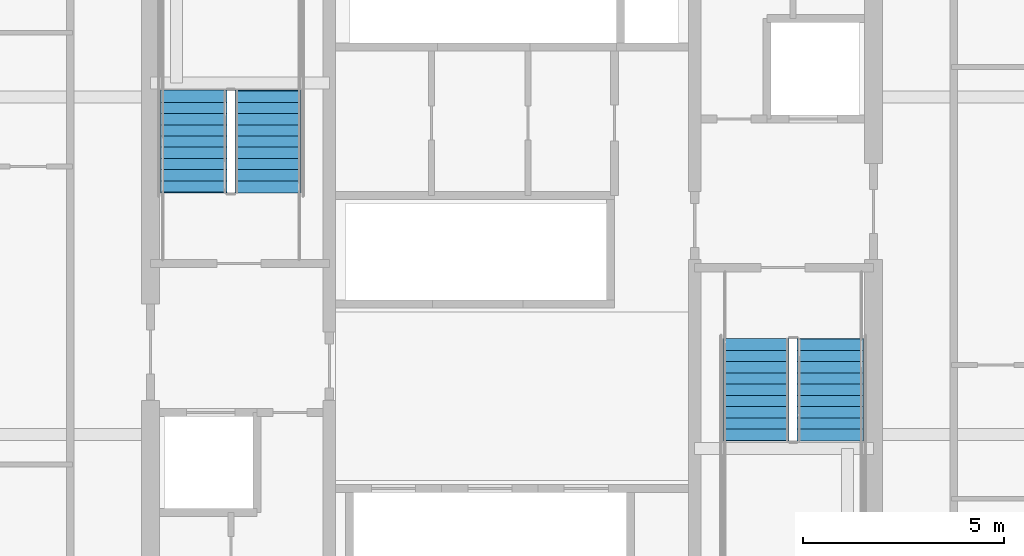
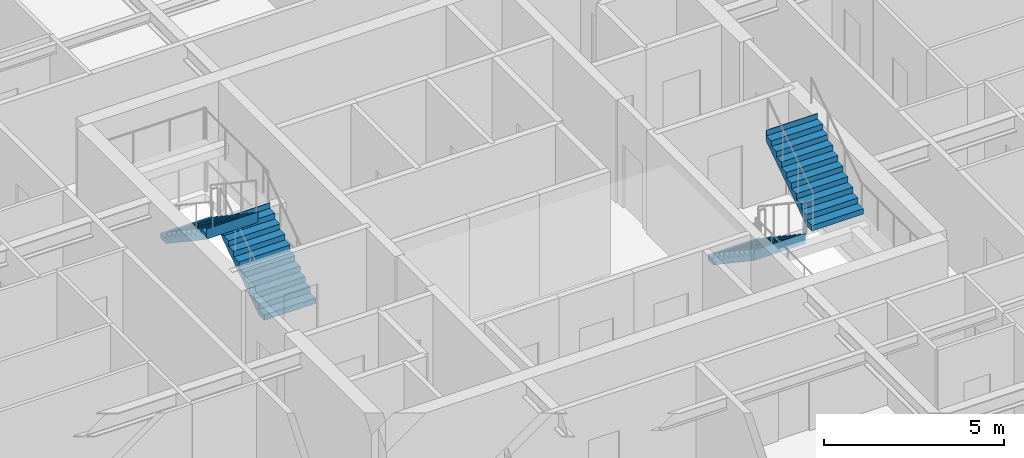
# One storey, part 33 of 39: 4 stair flights, 2 elements without a shape of their own.
"""IFC4 building model written with IfcOpenShell, lengths in metres."""

from ifc_helpers import new_model, si_unit, direction, frame, origin, place, context, subcontext, project, spatial, polygons, material, type_object, element, aggregate, save


model = new_model("IFC4")

# Units and contexts
model_context = context("Model", 3, precision=1e-05, world=origin(), true_north=direction((0.0, 1.0)))
body_context = subcontext(model_context, "Body", "Model", "MODEL_VIEW")
ifc_project = project(units=[si_unit("LENGTHUNIT", "METRE"), si_unit("AREAUNIT", "SQUARE_METRE"), si_unit("VOLUMEUNIT", "CUBIC_METRE"), si_unit("PLANEANGLEUNIT", "RADIAN"), si_unit("MASSUNIT", "GRAM", prefix="KILO")], contexts=[model_context])

# Site, building, storey
site_placement = place(None, origin())
site = spatial("IfcSite", under=ifc_project, at=site_placement, CompositionType="ELEMENT")
building_placement = place(site_placement, origin())
building = spatial("IfcBuilding", under=site, at=building_placement, Name="Serunith Strait Residences", CompositionType="ELEMENT")
storey_placement = place(building_placement, frame((0.0, 0.0, 97.949951171875)))
storey = spatial("IfcBuildingStorey", under=building, at=storey_placement, Name="L24", CompositionType="ELEMENT", Elevation=97.949951171875)

# Stair, stair flights
ifc_material = material(Name="Concrete C50/60", Category="concrete")
stair_type_1 = type_object("IfcStairType", Name="STR-CORE-1", PredefinedType="HALF_TURN_STAIR", material=ifc_material)
stair_1_placement = place(storey_placement, origin())
stair_1 = element("IfcStair", 1, at=stair_1_placement, inside=storey, type_object=stair_type_1, Name="L24 Protected Escape Stair ST-1", PredefinedType="HALF_TURN_STAIR")
stair_flight_type_1 = type_object("IfcStairFlightType", Name="FLT-CORE-1", PredefinedType="STRAIGHT", material=ifc_material)
stair_flight_1_placement = place(storey_placement, frame((26.324951171875, 27.030029296875, 0.0), z_axis=(0.0, 0.0, 1.0), x_axis=(0.0, 1.0, 0.0)))
stair_flight_1 = element("IfcStairFlight", 2, at=stair_flight_1_placement, type_object=stair_flight_type_1, Name="ST-1 flight 1", NumberOfRisers=10, NumberOfTreads=9, PredefinedType="STRAIGHT", RiserHeight=0.1875, TreadLength=0.28, context=body_context, shape_type="Tessellation", body=[
    polygons([(-0.02001953125, -0.824951171875, 0.0), (-0.02001953125, -0.824951171875, 0.1875), (0.280029296875, -0.824951171875, 0.1875), (0.280029296875, -0.824951171875, 0.375), (0.56005859375, -0.824951171875, 0.375), (0.56005859375, -0.824951171875, 0.5625), (0.840087890625, -0.824951171875, 0.5625), (0.840087890625, -0.824951171875, 0.75), (1.1201171875, -0.824951171875, 0.75), (1.1201171875, -0.824951171875, 0.9375), (1.39990234375, -0.824951171875, 0.9375), (1.39990234375, -0.824951171875, 1.125), (1.679931640625, -0.824951171875, 1.125), (1.679931640625, -0.824951171875, 1.3125), (1.9599609375, -0.824951171875, 1.3125), (1.9599609375, -0.824951171875, 1.5), (2.239990234375, -0.824951171875, 1.5), (2.239990234375, -0.824951171875, 1.6875), (2.52001953125, -0.824951171875, 1.6875), (2.52001953125, -0.824951171875, 1.875), (2.5400390625, -0.824951171875, 1.875), (2.5400390625, -0.824951171875, 1.81494140625), (2.52001953125, -0.824951171875, 1.507080078125), (0.26953125, -0.824951171875, 0.0), (-0.02001953125, -0.41259765625, 0.0), (-0.02001953125, -0.41259765625, 0.1875), (0.280029296875, -0.41259765625, 0.1875), (0.280029296875, -0.41259765625, 0.375), (0.56005859375, -0.41259765625, 0.375), (0.56005859375, -0.41259765625, 0.5625), (0.840087890625, -0.41259765625, 0.5625), (0.840087890625, -0.41259765625, 0.75), (1.1201171875, -0.41259765625, 0.75), (1.1201171875, -0.41259765625, 0.9375), (1.39990234375, -0.41259765625, 0.9375), (1.39990234375, -0.41259765625, 1.125), (1.679931640625, -0.41259765625, 1.125), (1.679931640625, -0.41259765625, 1.3125), (1.9599609375, -0.41259765625, 1.3125), (1.9599609375, -0.41259765625, 1.5), (2.239990234375, -0.41259765625, 1.5), (2.239990234375, -0.41259765625, 1.6875), (2.52001953125, -0.41259765625, 1.6875), (2.52001953125, -0.41259765625, 1.875), (2.5400390625, -0.41259765625, 1.875), (2.5400390625, -0.41259765625, 1.81494140625), (2.52001953125, -0.41259765625, 1.507080078125), (0.26953125, -0.41259765625, 0.0), (-0.02001953125, 0.0, 0.0), (-0.02001953125, 0.0, 0.1875), (0.280029296875, 0.0, 0.1875), (0.280029296875, 0.0, 0.375), (0.56005859375, 0.0, 0.375), (0.56005859375, 0.0, 0.5625), (0.840087890625, 0.0, 0.5625), (0.840087890625, 0.0, 0.75), (1.1201171875, 0.0, 0.75), (1.1201171875, 0.0, 0.9375), (1.39990234375, 0.0, 0.9375), (1.39990234375, 0.0, 1.125), (1.679931640625, 0.0, 1.125), (1.679931640625, 0.0, 1.3125), (1.9599609375, 0.0, 1.3125), (1.9599609375, 0.0, 1.5), (2.239990234375, 0.0, 1.5), (2.239990234375, 0.0, 1.6875), (2.52001953125, 0.0, 1.6875), (2.52001953125, 0.0, 1.875), (2.5400390625, 0.0, 1.875), (2.5400390625, 0.0, 1.81494140625), (2.52001953125, 0.0, 1.507080078125), (0.26953125, 0.0, 0.0), (-0.02001953125, 0.41259765625, 0.0), (-0.02001953125, 0.41259765625, 0.1875), (0.280029296875, 0.41259765625, 0.1875), (0.280029296875, 0.41259765625, 0.375), (0.56005859375, 0.41259765625, 0.375), (0.56005859375, 0.41259765625, 0.5625), (0.840087890625, 0.41259765625, 0.5625), (0.840087890625, 0.41259765625, 0.75), (1.1201171875, 0.41259765625, 0.75), (1.1201171875, 0.41259765625, 0.9375), (1.39990234375, 0.41259765625, 0.9375), (1.39990234375, 0.41259765625, 1.125), (1.679931640625, 0.41259765625, 1.125), (1.679931640625, 0.41259765625, 1.3125), (1.9599609375, 0.41259765625, 1.3125), (1.9599609375, 0.41259765625, 1.5), (2.239990234375, 0.41259765625, 1.5), (2.239990234375, 0.41259765625, 1.6875), (2.52001953125, 0.41259765625, 1.6875), (2.52001953125, 0.41259765625, 1.875), (2.5400390625, 0.41259765625, 1.875), (2.5400390625, 0.41259765625, 1.81494140625), (2.52001953125, 0.41259765625, 1.507080078125), (0.26953125, 0.41259765625, 0.0), (-0.02001953125, 0.824951171875, 0.0), (-0.02001953125, 0.824951171875, 0.1875), (0.280029296875, 0.824951171875, 0.1875), (0.280029296875, 0.824951171875, 0.375), (0.56005859375, 0.824951171875, 0.375), (0.56005859375, 0.824951171875, 0.5625), (0.840087890625, 0.824951171875, 0.5625), (0.840087890625, 0.824951171875, 0.75), (1.1201171875, 0.824951171875, 0.75), (1.1201171875, 0.824951171875, 0.9375), (1.39990234375, 0.824951171875, 0.9375), (1.39990234375, 0.824951171875, 1.125), (1.679931640625, 0.824951171875, 1.125), (1.679931640625, 0.824951171875, 1.3125), (1.9599609375, 0.824951171875, 1.3125), (1.9599609375, 0.824951171875, 1.5), (2.239990234375, 0.824951171875, 1.5), (2.239990234375, 0.824951171875, 1.6875), (2.52001953125, 0.824951171875, 1.6875), (2.52001953125, 0.824951171875, 1.875), (2.5400390625, 0.824951171875, 1.875), (2.5400390625, 0.824951171875, 1.81494140625), (2.52001953125, 0.824951171875, 1.507080078125), (0.26953125, 0.824951171875, 0.0)], [[[1, 2, 26, 25]], [[2, 3, 27, 26]], [[3, 4, 28, 27]], [[4, 5, 29, 28]], [[5, 6, 30, 29]], [[6, 7, 31, 30]], [[7, 8, 32, 31]], [[8, 9, 33, 32]], [[9, 10, 34, 33]], [[10, 11, 35, 34]], [[11, 12, 36, 35]], [[12, 13, 37, 36]], [[13, 14, 38, 37]], [[14, 15, 39, 38]], [[15, 16, 40, 39]], [[16, 17, 41, 40]], [[17, 18, 42, 41]], [[18, 19, 43, 42]], [[19, 20, 44, 43]], [[20, 21, 45, 44]], [[21, 22, 46, 45]], [[22, 23, 47, 46]], [[23, 24, 48, 47]], [[24, 1, 25, 48]], [[25, 26, 50, 49]], [[26, 27, 51, 50]], [[27, 28, 52, 51]], [[28, 29, 53, 52]], [[29, 30, 54, 53]], [[30, 31, 55, 54]], [[31, 32, 56, 55]], [[32, 33, 57, 56]], [[33, 34, 58, 57]], [[34, 35, 59, 58]], [[35, 36, 60, 59]], [[36, 37, 61, 60]], [[37, 38, 62, 61]], [[38, 39, 63, 62]], [[39, 40, 64, 63]], [[40, 41, 65, 64]], [[41, 42, 66, 65]], [[42, 43, 67, 66]], [[43, 44, 68, 67]], [[44, 45, 69, 68]], [[45, 46, 70, 69]], [[46, 47, 71, 70]], [[47, 48, 72, 71]], [[48, 25, 49, 72]], [[49, 50, 74, 73]], [[50, 51, 75, 74]], [[51, 52, 76, 75]], [[52, 53, 77, 76]], [[53, 54, 78, 77]], [[54, 55, 79, 78]], [[55, 56, 80, 79]], [[56, 57, 81, 80]], [[57, 58, 82, 81]], [[58, 59, 83, 82]], [[59, 60, 84, 83]], [[60, 61, 85, 84]], [[61, 62, 86, 85]], [[62, 63, 87, 86]], [[63, 64, 88, 87]], [[64, 65, 89, 88]], [[65, 66, 90, 89]], [[66, 67, 91, 90]], [[67, 68, 92, 91]], [[68, 69, 93, 92]], [[69, 70, 94, 93]], [[70, 71, 95, 94]], [[71, 72, 96, 95]], [[72, 49, 73, 96]], [[73, 74, 98, 97]], [[74, 75, 99, 98]], [[75, 76, 100, 99]], [[76, 77, 101, 100]], [[77, 78, 102, 101]], [[78, 79, 103, 102]], [[79, 80, 104, 103]], [[80, 81, 105, 104]], [[81, 82, 106, 105]], [[82, 83, 107, 106]], [[83, 84, 108, 107]], [[84, 85, 109, 108]], [[85, 86, 110, 109]], [[86, 87, 111, 110]], [[87, 88, 112, 111]], [[88, 89, 113, 112]], [[89, 90, 114, 113]], [[90, 91, 115, 114]], [[91, 92, 116, 115]], [[92, 93, 117, 116]], [[93, 94, 118, 117]], [[94, 95, 119, 118]], [[95, 96, 120, 119]], [[96, 73, 97, 120]], [[24, 23, 22, 21, 20, 19, 18, 17, 16, 15, 14, 13, 12, 11, 10, 9, 8, 7, 6, 5, 4, 3, 2, 1]], [[97, 98, 99, 100, 101, 102, 103, 104, 105, 106, 107, 108, 109, 110, 111, 112, 113, 114, 115, 116, 117, 118, 119, 120]]], closed=True),
])
stair_flight_2_placement = place(storey_placement, frame((24.47509765625, 29.550048828125, 1.875), z_axis=(0.0, 0.0, 1.0), x_axis=(0.0, -1.0, 0.0)))
stair_flight_2 = element("IfcStairFlight", 3, at=stair_flight_2_placement, type_object=stair_flight_type_1, Name="ST-1 flight 2", NumberOfRisers=10, NumberOfTreads=9, PredefinedType="STRAIGHT", RiserHeight=0.1875, TreadLength=0.28, context=body_context, shape_type="Tessellation", body=[
    polygons([(-0.02001953125, -0.824951171875, 0.0), (-0.02001953125, -0.824951171875, 0.1875), (0.280029296875, -0.824951171875, 0.1875), (0.280029296875, -0.824951171875, 0.375), (0.56005859375, -0.824951171875, 0.375), (0.56005859375, -0.824951171875, 0.5625), (0.840087890625, -0.824951171875, 0.5625), (0.840087890625, -0.824951171875, 0.75), (1.1201171875, -0.824951171875, 0.75), (1.1201171875, -0.824951171875, 0.9375), (1.39990234375, -0.824951171875, 0.9375), (1.39990234375, -0.824951171875, 1.125), (1.679931640625, -0.824951171875, 1.125), (1.679931640625, -0.824951171875, 1.3125), (1.9599609375, -0.824951171875, 1.3125), (1.9599609375, -0.824951171875, 1.5), (2.239990234375, -0.824951171875, 1.5), (2.239990234375, -0.824951171875, 1.6875), (2.52001953125, -0.824951171875, 1.6875), (2.52001953125, -0.824951171875, 1.875), (2.5400390625, -0.824951171875, 1.875), (2.5400390625, -0.824951171875, 1.81494140625), (2.52001953125, -0.824951171875, 1.507080078125), (0.26953125, -0.824951171875, 0.0), (-0.02001953125, -0.41259765625, 0.0), (-0.02001953125, -0.41259765625, 0.1875), (0.280029296875, -0.41259765625, 0.1875), (0.280029296875, -0.41259765625, 0.375), (0.56005859375, -0.41259765625, 0.375), (0.56005859375, -0.41259765625, 0.5625), (0.840087890625, -0.41259765625, 0.5625), (0.840087890625, -0.41259765625, 0.75), (1.1201171875, -0.41259765625, 0.75), (1.1201171875, -0.41259765625, 0.9375), (1.39990234375, -0.41259765625, 0.9375), (1.39990234375, -0.41259765625, 1.125), (1.679931640625, -0.41259765625, 1.125), (1.679931640625, -0.41259765625, 1.3125), (1.9599609375, -0.41259765625, 1.3125), (1.9599609375, -0.41259765625, 1.5), (2.239990234375, -0.41259765625, 1.5), (2.239990234375, -0.41259765625, 1.6875), (2.52001953125, -0.41259765625, 1.6875), (2.52001953125, -0.41259765625, 1.875), (2.5400390625, -0.41259765625, 1.875), (2.5400390625, -0.41259765625, 1.81494140625), (2.52001953125, -0.41259765625, 1.507080078125), (0.26953125, -0.41259765625, 0.0), (-0.02001953125, 0.0, 0.0), (-0.02001953125, 0.0, 0.1875), (0.280029296875, 0.0, 0.1875), (0.280029296875, 0.0, 0.375), (0.56005859375, 0.0, 0.375), (0.56005859375, 0.0, 0.5625), (0.840087890625, 0.0, 0.5625), (0.840087890625, 0.0, 0.75), (1.1201171875, 0.0, 0.75), (1.1201171875, 0.0, 0.9375), (1.39990234375, 0.0, 0.9375), (1.39990234375, 0.0, 1.125), (1.679931640625, 0.0, 1.125), (1.679931640625, 0.0, 1.3125), (1.9599609375, 0.0, 1.3125), (1.9599609375, 0.0, 1.5), (2.239990234375, 0.0, 1.5), (2.239990234375, 0.0, 1.6875), (2.52001953125, 0.0, 1.6875), (2.52001953125, 0.0, 1.875), (2.5400390625, 0.0, 1.875), (2.5400390625, 0.0, 1.81494140625), (2.52001953125, 0.0, 1.507080078125), (0.26953125, 0.0, 0.0), (-0.02001953125, 0.41259765625, 0.0), (-0.02001953125, 0.41259765625, 0.1875), (0.280029296875, 0.41259765625, 0.1875), (0.280029296875, 0.41259765625, 0.375), (0.56005859375, 0.41259765625, 0.375), (0.56005859375, 0.41259765625, 0.5625), (0.840087890625, 0.41259765625, 0.5625), (0.840087890625, 0.41259765625, 0.75), (1.1201171875, 0.41259765625, 0.75), (1.1201171875, 0.41259765625, 0.9375), (1.39990234375, 0.41259765625, 0.9375), (1.39990234375, 0.41259765625, 1.125), (1.679931640625, 0.41259765625, 1.125), (1.679931640625, 0.41259765625, 1.3125), (1.9599609375, 0.41259765625, 1.3125), (1.9599609375, 0.41259765625, 1.5), (2.239990234375, 0.41259765625, 1.5), (2.239990234375, 0.41259765625, 1.6875), (2.52001953125, 0.41259765625, 1.6875), (2.52001953125, 0.41259765625, 1.875), (2.5400390625, 0.41259765625, 1.875), (2.5400390625, 0.41259765625, 1.81494140625), (2.52001953125, 0.41259765625, 1.507080078125), (0.26953125, 0.41259765625, 0.0), (-0.02001953125, 0.824951171875, 0.0), (-0.02001953125, 0.824951171875, 0.1875), (0.280029296875, 0.824951171875, 0.1875), (0.280029296875, 0.824951171875, 0.375), (0.56005859375, 0.824951171875, 0.375), (0.56005859375, 0.824951171875, 0.5625), (0.840087890625, 0.824951171875, 0.5625), (0.840087890625, 0.824951171875, 0.75), (1.1201171875, 0.824951171875, 0.75), (1.1201171875, 0.824951171875, 0.9375), (1.39990234375, 0.824951171875, 0.9375), (1.39990234375, 0.824951171875, 1.125), (1.679931640625, 0.824951171875, 1.125), (1.679931640625, 0.824951171875, 1.3125), (1.9599609375, 0.824951171875, 1.3125), (1.9599609375, 0.824951171875, 1.5), (2.239990234375, 0.824951171875, 1.5), (2.239990234375, 0.824951171875, 1.6875), (2.52001953125, 0.824951171875, 1.6875), (2.52001953125, 0.824951171875, 1.875), (2.5400390625, 0.824951171875, 1.875), (2.5400390625, 0.824951171875, 1.81494140625), (2.52001953125, 0.824951171875, 1.507080078125), (0.26953125, 0.824951171875, 0.0)], [[[1, 2, 26, 25]], [[2, 3, 27, 26]], [[3, 4, 28, 27]], [[4, 5, 29, 28]], [[5, 6, 30, 29]], [[6, 7, 31, 30]], [[7, 8, 32, 31]], [[8, 9, 33, 32]], [[9, 10, 34, 33]], [[10, 11, 35, 34]], [[11, 12, 36, 35]], [[12, 13, 37, 36]], [[13, 14, 38, 37]], [[14, 15, 39, 38]], [[15, 16, 40, 39]], [[16, 17, 41, 40]], [[17, 18, 42, 41]], [[18, 19, 43, 42]], [[19, 20, 44, 43]], [[20, 21, 45, 44]], [[21, 22, 46, 45]], [[22, 23, 47, 46]], [[23, 24, 48, 47]], [[24, 1, 25, 48]], [[25, 26, 50, 49]], [[26, 27, 51, 50]], [[27, 28, 52, 51]], [[28, 29, 53, 52]], [[29, 30, 54, 53]], [[30, 31, 55, 54]], [[31, 32, 56, 55]], [[32, 33, 57, 56]], [[33, 34, 58, 57]], [[34, 35, 59, 58]], [[35, 36, 60, 59]], [[36, 37, 61, 60]], [[37, 38, 62, 61]], [[38, 39, 63, 62]], [[39, 40, 64, 63]], [[40, 41, 65, 64]], [[41, 42, 66, 65]], [[42, 43, 67, 66]], [[43, 44, 68, 67]], [[44, 45, 69, 68]], [[45, 46, 70, 69]], [[46, 47, 71, 70]], [[47, 48, 72, 71]], [[48, 25, 49, 72]], [[49, 50, 74, 73]], [[50, 51, 75, 74]], [[51, 52, 76, 75]], [[52, 53, 77, 76]], [[53, 54, 78, 77]], [[54, 55, 79, 78]], [[55, 56, 80, 79]], [[56, 57, 81, 80]], [[57, 58, 82, 81]], [[58, 59, 83, 82]], [[59, 60, 84, 83]], [[60, 61, 85, 84]], [[61, 62, 86, 85]], [[62, 63, 87, 86]], [[63, 64, 88, 87]], [[64, 65, 89, 88]], [[65, 66, 90, 89]], [[66, 67, 91, 90]], [[67, 68, 92, 91]], [[68, 69, 93, 92]], [[69, 70, 94, 93]], [[70, 71, 95, 94]], [[71, 72, 96, 95]], [[72, 49, 73, 96]], [[73, 74, 98, 97]], [[74, 75, 99, 98]], [[75, 76, 100, 99]], [[76, 77, 101, 100]], [[77, 78, 102, 101]], [[78, 79, 103, 102]], [[79, 80, 104, 103]], [[80, 81, 105, 104]], [[81, 82, 106, 105]], [[82, 83, 107, 106]], [[83, 84, 108, 107]], [[84, 85, 109, 108]], [[85, 86, 110, 109]], [[86, 87, 111, 110]], [[87, 88, 112, 111]], [[88, 89, 113, 112]], [[89, 90, 114, 113]], [[90, 91, 115, 114]], [[91, 92, 116, 115]], [[92, 93, 117, 116]], [[93, 94, 118, 117]], [[94, 95, 119, 118]], [[95, 96, 120, 119]], [[96, 73, 97, 120]], [[24, 23, 22, 21, 20, 19, 18, 17, 16, 15, 14, 13, 12, 11, 10, 9, 8, 7, 6, 5, 4, 3, 2, 1]], [[97, 98, 99, 100, 101, 102, 103, 104, 105, 106, 107, 108, 109, 110, 111, 112, 113, 114, 115, 116, 117, 118, 119, 120]]], closed=True),
])
aggregate(stair_1, [stair_flight_1, stair_flight_2])

stair_type_2 = type_object("IfcStairType", Name="STR-CORE-2", PredefinedType="HALF_TURN_STAIR", material=ifc_material)
stair_2_placement = place(storey_placement, origin())
stair_2 = element("IfcStair", 4, at=stair_2_placement, inside=storey, type_object=stair_type_2, Name="L24 Protected Escape Stair ST-2", PredefinedType="HALF_TURN_STAIR")
stair_flight_type_2 = type_object("IfcStairFlightType", Name="FLT-CORE-2", PredefinedType="STRAIGHT", material=ifc_material)
stair_flight_3_placement = place(storey_placement, frame((38.47509765625, 23.3701171875, 0.0), z_axis=(0.0, 0.0, 1.0), x_axis=(0.0, -1.0, 0.0)))
stair_flight_3 = element("IfcStairFlight", 5, at=stair_flight_3_placement, type_object=stair_flight_type_2, Name="ST-2 flight 1", NumberOfRisers=10, NumberOfTreads=9, PredefinedType="STRAIGHT", RiserHeight=0.1875, TreadLength=0.28, context=body_context, shape_type="Tessellation", body=[
    polygons([(-0.02001953125, -0.824951171875, 0.0), (-0.02001953125, -0.824951171875, 0.1875), (0.280029296875, -0.824951171875, 0.1875), (0.280029296875, -0.824951171875, 0.375), (0.56005859375, -0.824951171875, 0.375), (0.56005859375, -0.824951171875, 0.5625), (0.840087890625, -0.824951171875, 0.5625), (0.840087890625, -0.824951171875, 0.75), (1.1201171875, -0.824951171875, 0.75), (1.1201171875, -0.824951171875, 0.9375), (1.39990234375, -0.824951171875, 0.9375), (1.39990234375, -0.824951171875, 1.125), (1.679931640625, -0.824951171875, 1.125), (1.679931640625, -0.824951171875, 1.3125), (1.9599609375, -0.824951171875, 1.3125), (1.9599609375, -0.824951171875, 1.5), (2.239990234375, -0.824951171875, 1.5), (2.239990234375, -0.824951171875, 1.6875), (2.52001953125, -0.824951171875, 1.6875), (2.52001953125, -0.824951171875, 1.875), (2.5400390625, -0.824951171875, 1.875), (2.5400390625, -0.824951171875, 1.81494140625), (2.52001953125, -0.824951171875, 1.507080078125), (0.26953125, -0.824951171875, 0.0), (-0.02001953125, -0.41259765625, 0.0), (-0.02001953125, -0.41259765625, 0.1875), (0.280029296875, -0.41259765625, 0.1875), (0.280029296875, -0.41259765625, 0.375), (0.56005859375, -0.41259765625, 0.375), (0.56005859375, -0.41259765625, 0.5625), (0.840087890625, -0.41259765625, 0.5625), (0.840087890625, -0.41259765625, 0.75), (1.1201171875, -0.41259765625, 0.75), (1.1201171875, -0.41259765625, 0.9375), (1.39990234375, -0.41259765625, 0.9375), (1.39990234375, -0.41259765625, 1.125), (1.679931640625, -0.41259765625, 1.125), (1.679931640625, -0.41259765625, 1.3125), (1.9599609375, -0.41259765625, 1.3125), (1.9599609375, -0.41259765625, 1.5), (2.239990234375, -0.41259765625, 1.5), (2.239990234375, -0.41259765625, 1.6875), (2.52001953125, -0.41259765625, 1.6875), (2.52001953125, -0.41259765625, 1.875), (2.5400390625, -0.41259765625, 1.875), (2.5400390625, -0.41259765625, 1.81494140625), (2.52001953125, -0.41259765625, 1.507080078125), (0.26953125, -0.41259765625, 0.0), (-0.02001953125, 0.0, 0.0), (-0.02001953125, 0.0, 0.1875), (0.280029296875, 0.0, 0.1875), (0.280029296875, 0.0, 0.375), (0.56005859375, 0.0, 0.375), (0.56005859375, 0.0, 0.5625), (0.840087890625, 0.0, 0.5625), (0.840087890625, 0.0, 0.75), (1.1201171875, 0.0, 0.75), (1.1201171875, 0.0, 0.9375), (1.39990234375, 0.0, 0.9375), (1.39990234375, 0.0, 1.125), (1.679931640625, 0.0, 1.125), (1.679931640625, 0.0, 1.3125), (1.9599609375, 0.0, 1.3125), (1.9599609375, 0.0, 1.5), (2.239990234375, 0.0, 1.5), (2.239990234375, 0.0, 1.6875), (2.52001953125, 0.0, 1.6875), (2.52001953125, 0.0, 1.875), (2.5400390625, 0.0, 1.875), (2.5400390625, 0.0, 1.81494140625), (2.52001953125, 0.0, 1.507080078125), (0.26953125, 0.0, 0.0), (-0.02001953125, 0.41259765625, 0.0), (-0.02001953125, 0.41259765625, 0.1875), (0.280029296875, 0.41259765625, 0.1875), (0.280029296875, 0.41259765625, 0.375), (0.56005859375, 0.41259765625, 0.375), (0.56005859375, 0.41259765625, 0.5625), (0.840087890625, 0.41259765625, 0.5625), (0.840087890625, 0.41259765625, 0.75), (1.1201171875, 0.41259765625, 0.75), (1.1201171875, 0.41259765625, 0.9375), (1.39990234375, 0.41259765625, 0.9375), (1.39990234375, 0.41259765625, 1.125), (1.679931640625, 0.41259765625, 1.125), (1.679931640625, 0.41259765625, 1.3125), (1.9599609375, 0.41259765625, 1.3125), (1.9599609375, 0.41259765625, 1.5), (2.239990234375, 0.41259765625, 1.5), (2.239990234375, 0.41259765625, 1.6875), (2.52001953125, 0.41259765625, 1.6875), (2.52001953125, 0.41259765625, 1.875), (2.5400390625, 0.41259765625, 1.875), (2.5400390625, 0.41259765625, 1.81494140625), (2.52001953125, 0.41259765625, 1.507080078125), (0.26953125, 0.41259765625, 0.0), (-0.02001953125, 0.824951171875, 0.0), (-0.02001953125, 0.824951171875, 0.1875), (0.280029296875, 0.824951171875, 0.1875), (0.280029296875, 0.824951171875, 0.375), (0.56005859375, 0.824951171875, 0.375), (0.56005859375, 0.824951171875, 0.5625), (0.840087890625, 0.824951171875, 0.5625), (0.840087890625, 0.824951171875, 0.75), (1.1201171875, 0.824951171875, 0.75), (1.1201171875, 0.824951171875, 0.9375), (1.39990234375, 0.824951171875, 0.9375), (1.39990234375, 0.824951171875, 1.125), (1.679931640625, 0.824951171875, 1.125), (1.679931640625, 0.824951171875, 1.3125), (1.9599609375, 0.824951171875, 1.3125), (1.9599609375, 0.824951171875, 1.5), (2.239990234375, 0.824951171875, 1.5), (2.239990234375, 0.824951171875, 1.6875), (2.52001953125, 0.824951171875, 1.6875), (2.52001953125, 0.824951171875, 1.875), (2.5400390625, 0.824951171875, 1.875), (2.5400390625, 0.824951171875, 1.81494140625), (2.52001953125, 0.824951171875, 1.507080078125), (0.26953125, 0.824951171875, 0.0)], [[[1, 2, 26, 25]], [[2, 3, 27, 26]], [[3, 4, 28, 27]], [[4, 5, 29, 28]], [[5, 6, 30, 29]], [[6, 7, 31, 30]], [[7, 8, 32, 31]], [[8, 9, 33, 32]], [[9, 10, 34, 33]], [[10, 11, 35, 34]], [[11, 12, 36, 35]], [[12, 13, 37, 36]], [[13, 14, 38, 37]], [[14, 15, 39, 38]], [[15, 16, 40, 39]], [[16, 17, 41, 40]], [[17, 18, 42, 41]], [[18, 19, 43, 42]], [[19, 20, 44, 43]], [[20, 21, 45, 44]], [[21, 22, 46, 45]], [[22, 23, 47, 46]], [[23, 24, 48, 47]], [[24, 1, 25, 48]], [[25, 26, 50, 49]], [[26, 27, 51, 50]], [[27, 28, 52, 51]], [[28, 29, 53, 52]], [[29, 30, 54, 53]], [[30, 31, 55, 54]], [[31, 32, 56, 55]], [[32, 33, 57, 56]], [[33, 34, 58, 57]], [[34, 35, 59, 58]], [[35, 36, 60, 59]], [[36, 37, 61, 60]], [[37, 38, 62, 61]], [[38, 39, 63, 62]], [[39, 40, 64, 63]], [[40, 41, 65, 64]], [[41, 42, 66, 65]], [[42, 43, 67, 66]], [[43, 44, 68, 67]], [[44, 45, 69, 68]], [[45, 46, 70, 69]], [[46, 47, 71, 70]], [[47, 48, 72, 71]], [[48, 25, 49, 72]], [[49, 50, 74, 73]], [[50, 51, 75, 74]], [[51, 52, 76, 75]], [[52, 53, 77, 76]], [[53, 54, 78, 77]], [[54, 55, 79, 78]], [[55, 56, 80, 79]], [[56, 57, 81, 80]], [[57, 58, 82, 81]], [[58, 59, 83, 82]], [[59, 60, 84, 83]], [[60, 61, 85, 84]], [[61, 62, 86, 85]], [[62, 63, 87, 86]], [[63, 64, 88, 87]], [[64, 65, 89, 88]], [[65, 66, 90, 89]], [[66, 67, 91, 90]], [[67, 68, 92, 91]], [[68, 69, 93, 92]], [[69, 70, 94, 93]], [[70, 71, 95, 94]], [[71, 72, 96, 95]], [[72, 49, 73, 96]], [[73, 74, 98, 97]], [[74, 75, 99, 98]], [[75, 76, 100, 99]], [[76, 77, 101, 100]], [[77, 78, 102, 101]], [[78, 79, 103, 102]], [[79, 80, 104, 103]], [[80, 81, 105, 104]], [[81, 82, 106, 105]], [[82, 83, 107, 106]], [[83, 84, 108, 107]], [[84, 85, 109, 108]], [[85, 86, 110, 109]], [[86, 87, 111, 110]], [[87, 88, 112, 111]], [[88, 89, 113, 112]], [[89, 90, 114, 113]], [[90, 91, 115, 114]], [[91, 92, 116, 115]], [[92, 93, 117, 116]], [[93, 94, 118, 117]], [[94, 95, 119, 118]], [[95, 96, 120, 119]], [[96, 73, 97, 120]], [[24, 23, 22, 21, 20, 19, 18, 17, 16, 15, 14, 13, 12, 11, 10, 9, 8, 7, 6, 5, 4, 3, 2, 1]], [[97, 98, 99, 100, 101, 102, 103, 104, 105, 106, 107, 108, 109, 110, 111, 112, 113, 114, 115, 116, 117, 118, 119, 120]]], closed=True),
])
stair_flight_4_placement = place(storey_placement, frame((40.324951171875, 20.85009765625, 1.875), z_axis=(0.0, 0.0, 1.0), x_axis=(0.0, 1.0, 0.0)))
stair_flight_4 = element("IfcStairFlight", 6, at=stair_flight_4_placement, type_object=stair_flight_type_2, Name="ST-2 flight 2", NumberOfRisers=10, NumberOfTreads=9, PredefinedType="STRAIGHT", RiserHeight=0.1875, TreadLength=0.28, context=body_context, shape_type="Tessellation", body=[
    polygons([(-0.02001953125, -0.824951171875, 0.0), (-0.02001953125, -0.824951171875, 0.1875), (0.280029296875, -0.824951171875, 0.1875), (0.280029296875, -0.824951171875, 0.375), (0.56005859375, -0.824951171875, 0.375), (0.56005859375, -0.824951171875, 0.5625), (0.840087890625, -0.824951171875, 0.5625), (0.840087890625, -0.824951171875, 0.75), (1.1201171875, -0.824951171875, 0.75), (1.1201171875, -0.824951171875, 0.9375), (1.39990234375, -0.824951171875, 0.9375), (1.39990234375, -0.824951171875, 1.125), (1.679931640625, -0.824951171875, 1.125), (1.679931640625, -0.824951171875, 1.3125), (1.9599609375, -0.824951171875, 1.3125), (1.9599609375, -0.824951171875, 1.5), (2.239990234375, -0.824951171875, 1.5), (2.239990234375, -0.824951171875, 1.6875), (2.52001953125, -0.824951171875, 1.6875), (2.52001953125, -0.824951171875, 1.875), (2.5400390625, -0.824951171875, 1.875), (2.5400390625, -0.824951171875, 1.81494140625), (2.52001953125, -0.824951171875, 1.507080078125), (0.26953125, -0.824951171875, 0.0), (-0.02001953125, -0.41259765625, 0.0), (-0.02001953125, -0.41259765625, 0.1875), (0.280029296875, -0.41259765625, 0.1875), (0.280029296875, -0.41259765625, 0.375), (0.56005859375, -0.41259765625, 0.375), (0.56005859375, -0.41259765625, 0.5625), (0.840087890625, -0.41259765625, 0.5625), (0.840087890625, -0.41259765625, 0.75), (1.1201171875, -0.41259765625, 0.75), (1.1201171875, -0.41259765625, 0.9375), (1.39990234375, -0.41259765625, 0.9375), (1.39990234375, -0.41259765625, 1.125), (1.679931640625, -0.41259765625, 1.125), (1.679931640625, -0.41259765625, 1.3125), (1.9599609375, -0.41259765625, 1.3125), (1.9599609375, -0.41259765625, 1.5), (2.239990234375, -0.41259765625, 1.5), (2.239990234375, -0.41259765625, 1.6875), (2.52001953125, -0.41259765625, 1.6875), (2.52001953125, -0.41259765625, 1.875), (2.5400390625, -0.41259765625, 1.875), (2.5400390625, -0.41259765625, 1.81494140625), (2.52001953125, -0.41259765625, 1.507080078125), (0.26953125, -0.41259765625, 0.0), (-0.02001953125, 0.0, 0.0), (-0.02001953125, 0.0, 0.1875), (0.280029296875, 0.0, 0.1875), (0.280029296875, 0.0, 0.375), (0.56005859375, 0.0, 0.375), (0.56005859375, 0.0, 0.5625), (0.840087890625, 0.0, 0.5625), (0.840087890625, 0.0, 0.75), (1.1201171875, 0.0, 0.75), (1.1201171875, 0.0, 0.9375), (1.39990234375, 0.0, 0.9375), (1.39990234375, 0.0, 1.125), (1.679931640625, 0.0, 1.125), (1.679931640625, 0.0, 1.3125), (1.9599609375, 0.0, 1.3125), (1.9599609375, 0.0, 1.5), (2.239990234375, 0.0, 1.5), (2.239990234375, 0.0, 1.6875), (2.52001953125, 0.0, 1.6875), (2.52001953125, 0.0, 1.875), (2.5400390625, 0.0, 1.875), (2.5400390625, 0.0, 1.81494140625), (2.52001953125, 0.0, 1.507080078125), (0.26953125, 0.0, 0.0), (-0.02001953125, 0.41259765625, 0.0), (-0.02001953125, 0.41259765625, 0.1875), (0.280029296875, 0.41259765625, 0.1875), (0.280029296875, 0.41259765625, 0.375), (0.56005859375, 0.41259765625, 0.375), (0.56005859375, 0.41259765625, 0.5625), (0.840087890625, 0.41259765625, 0.5625), (0.840087890625, 0.41259765625, 0.75), (1.1201171875, 0.41259765625, 0.75), (1.1201171875, 0.41259765625, 0.9375), (1.39990234375, 0.41259765625, 0.9375), (1.39990234375, 0.41259765625, 1.125), (1.679931640625, 0.41259765625, 1.125), (1.679931640625, 0.41259765625, 1.3125), (1.9599609375, 0.41259765625, 1.3125), (1.9599609375, 0.41259765625, 1.5), (2.239990234375, 0.41259765625, 1.5), (2.239990234375, 0.41259765625, 1.6875), (2.52001953125, 0.41259765625, 1.6875), (2.52001953125, 0.41259765625, 1.875), (2.5400390625, 0.41259765625, 1.875), (2.5400390625, 0.41259765625, 1.81494140625), (2.52001953125, 0.41259765625, 1.507080078125), (0.26953125, 0.41259765625, 0.0), (-0.02001953125, 0.824951171875, 0.0), (-0.02001953125, 0.824951171875, 0.1875), (0.280029296875, 0.824951171875, 0.1875), (0.280029296875, 0.824951171875, 0.375), (0.56005859375, 0.824951171875, 0.375), (0.56005859375, 0.824951171875, 0.5625), (0.840087890625, 0.824951171875, 0.5625), (0.840087890625, 0.824951171875, 0.75), (1.1201171875, 0.824951171875, 0.75), (1.1201171875, 0.824951171875, 0.9375), (1.39990234375, 0.824951171875, 0.9375), (1.39990234375, 0.824951171875, 1.125), (1.679931640625, 0.824951171875, 1.125), (1.679931640625, 0.824951171875, 1.3125), (1.9599609375, 0.824951171875, 1.3125), (1.9599609375, 0.824951171875, 1.5), (2.239990234375, 0.824951171875, 1.5), (2.239990234375, 0.824951171875, 1.6875), (2.52001953125, 0.824951171875, 1.6875), (2.52001953125, 0.824951171875, 1.875), (2.5400390625, 0.824951171875, 1.875), (2.5400390625, 0.824951171875, 1.81494140625), (2.52001953125, 0.824951171875, 1.507080078125), (0.26953125, 0.824951171875, 0.0)], [[[1, 2, 26, 25]], [[2, 3, 27, 26]], [[3, 4, 28, 27]], [[4, 5, 29, 28]], [[5, 6, 30, 29]], [[6, 7, 31, 30]], [[7, 8, 32, 31]], [[8, 9, 33, 32]], [[9, 10, 34, 33]], [[10, 11, 35, 34]], [[11, 12, 36, 35]], [[12, 13, 37, 36]], [[13, 14, 38, 37]], [[14, 15, 39, 38]], [[15, 16, 40, 39]], [[16, 17, 41, 40]], [[17, 18, 42, 41]], [[18, 19, 43, 42]], [[19, 20, 44, 43]], [[20, 21, 45, 44]], [[21, 22, 46, 45]], [[22, 23, 47, 46]], [[23, 24, 48, 47]], [[24, 1, 25, 48]], [[25, 26, 50, 49]], [[26, 27, 51, 50]], [[27, 28, 52, 51]], [[28, 29, 53, 52]], [[29, 30, 54, 53]], [[30, 31, 55, 54]], [[31, 32, 56, 55]], [[32, 33, 57, 56]], [[33, 34, 58, 57]], [[34, 35, 59, 58]], [[35, 36, 60, 59]], [[36, 37, 61, 60]], [[37, 38, 62, 61]], [[38, 39, 63, 62]], [[39, 40, 64, 63]], [[40, 41, 65, 64]], [[41, 42, 66, 65]], [[42, 43, 67, 66]], [[43, 44, 68, 67]], [[44, 45, 69, 68]], [[45, 46, 70, 69]], [[46, 47, 71, 70]], [[47, 48, 72, 71]], [[48, 25, 49, 72]], [[49, 50, 74, 73]], [[50, 51, 75, 74]], [[51, 52, 76, 75]], [[52, 53, 77, 76]], [[53, 54, 78, 77]], [[54, 55, 79, 78]], [[55, 56, 80, 79]], [[56, 57, 81, 80]], [[57, 58, 82, 81]], [[58, 59, 83, 82]], [[59, 60, 84, 83]], [[60, 61, 85, 84]], [[61, 62, 86, 85]], [[62, 63, 87, 86]], [[63, 64, 88, 87]], [[64, 65, 89, 88]], [[65, 66, 90, 89]], [[66, 67, 91, 90]], [[67, 68, 92, 91]], [[68, 69, 93, 92]], [[69, 70, 94, 93]], [[70, 71, 95, 94]], [[71, 72, 96, 95]], [[72, 49, 73, 96]], [[73, 74, 98, 97]], [[74, 75, 99, 98]], [[75, 76, 100, 99]], [[76, 77, 101, 100]], [[77, 78, 102, 101]], [[78, 79, 103, 102]], [[79, 80, 104, 103]], [[80, 81, 105, 104]], [[81, 82, 106, 105]], [[82, 83, 107, 106]], [[83, 84, 108, 107]], [[84, 85, 109, 108]], [[85, 86, 110, 109]], [[86, 87, 111, 110]], [[87, 88, 112, 111]], [[88, 89, 113, 112]], [[89, 90, 114, 113]], [[90, 91, 115, 114]], [[91, 92, 116, 115]], [[92, 93, 117, 116]], [[93, 94, 118, 117]], [[94, 95, 119, 118]], [[95, 96, 120, 119]], [[96, 73, 97, 120]], [[24, 23, 22, 21, 20, 19, 18, 17, 16, 15, 14, 13, 12, 11, 10, 9, 8, 7, 6, 5, 4, 3, 2, 1]], [[97, 98, 99, 100, 101, 102, 103, 104, 105, 106, 107, 108, 109, 110, 111, 112, 113, 114, 115, 116, 117, 118, 119, 120]]], closed=True),
])
aggregate(stair_2, [stair_flight_3, stair_flight_4])

save(model, "model.ifc")
